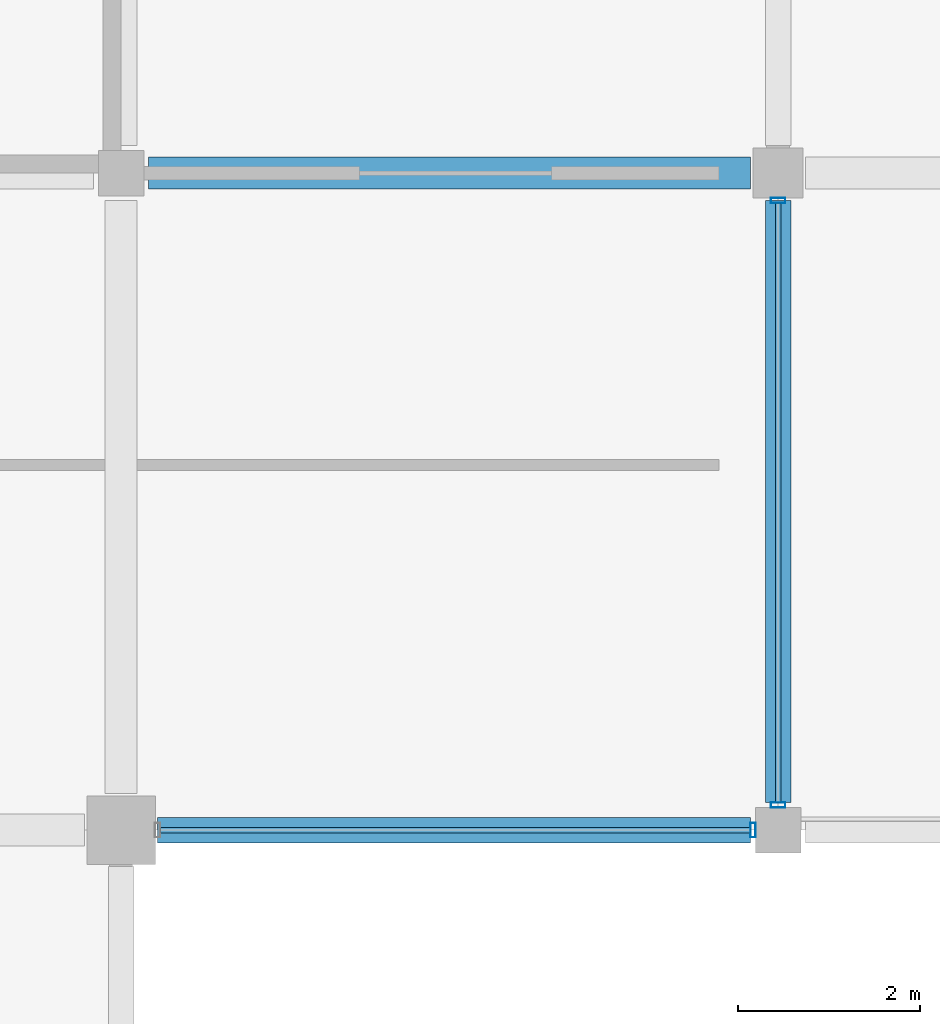
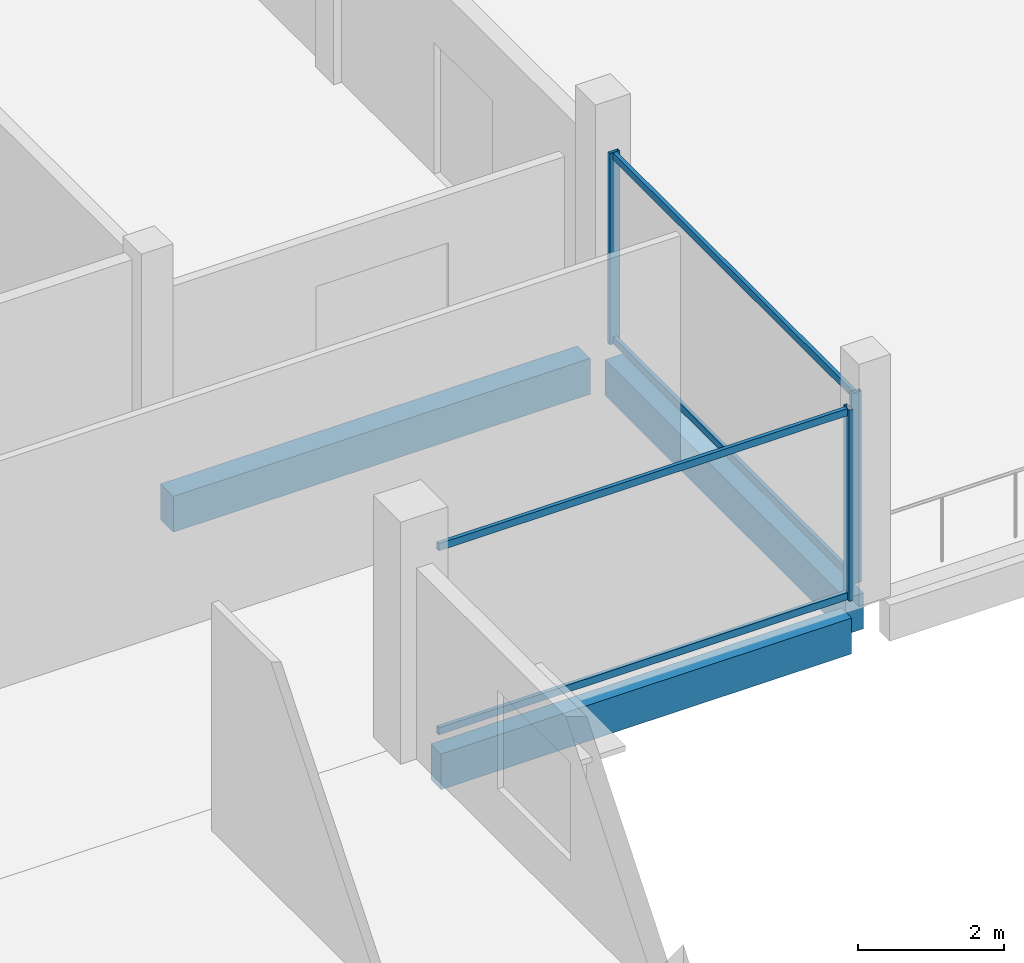
# One storey, part 20 of 91: 7 members, 3 beams, 2 elements without a shape of their own.
"""IFC4 building model written with IfcOpenShell, lengths in metres."""

from ifc_helpers import new_model, si_unit, direction, frame, origin, origin_2d, place, context, subcontext, project, spatial, rectangle, hollow_rectangle, extrude, material, layer, layer_set, material_profile, profile_set, type_object, element, aggregate, save


model = new_model("IFC4")

# Units and contexts
model_context = context("Model", 3, precision=1e-05, world=origin(), true_north=direction((0.0, 1.0)))
body_context = subcontext(model_context, "Body", "Model", "MODEL_VIEW")
ifc_project = project(units=[si_unit("LENGTHUNIT", "METRE"), si_unit("AREAUNIT", "SQUARE_METRE"), si_unit("VOLUMEUNIT", "CUBIC_METRE"), si_unit("PLANEANGLEUNIT", "RADIAN"), si_unit("MASSUNIT", "GRAM", prefix="KILO")], contexts=[model_context])

# Site, building, storey
site_placement = place(None, origin())
site = spatial("IfcSite", under=ifc_project, at=site_placement, CompositionType="ELEMENT")
building_placement = place(site_placement, origin())
building = spatial("IfcBuilding", under=site, at=building_placement, Name="Kangsadwip Square Police Headquarters", CompositionType="ELEMENT")
storey_placement = place(building_placement, frame((0.0, 0.0, 13.5)))
storey = spatial("IfcBuildingStorey", under=building, at=storey_placement, Name="L03", CompositionType="ELEMENT", Elevation=13.5)

# Curtain wall, member
ifc_material_1 = material(Name="Thermally broken anodised aluminium AW-6063-T6", Category="aluminium")
ifc_layer_1 = layer(ifc_material_1, 0.159912109375)
ifc_layer_set_1 = layer_set([ifc_layer_1], Name="Thermally broken anodised aluminium AW-6063-T6")
curtain_wall_type_1 = type_object("IfcCurtainWallType", Name="CourtScreen6585x3200", PredefinedType="USERDEFINED", material=ifc_layer_set_1)
curtain_wall_1_placement = place(storey_placement, origin())
curtain_wall_1 = element("IfcCurtainWall", 1, at=curtain_wall_1_placement, inside=storey, type_object=curtain_wall_type_1, Name="Curtain Wall CW-L03-0220-0936", ObjectType="GLAZED_SCREEN", PredefinedType="USERDEFINED")
ifc_material_2 = material(Name="Thermally broken anodised aluminium AW-6063-T6", Category="aluminium")
ifc_material_profile_1 = material_profile(ifc_material_2, hollow_rectangle(XDim=0.06005859375, YDim=0.159912109375, WallThickness=0.00390625, at=origin_2d()), Name="CWM 160X60X4")
ifc_profile_set_1 = profile_set([ifc_material_profile_1], Name="Thermally broken anodised aluminium AW-6063-T6")
member_type_1 = type_object("IfcMemberType", Name="CwMullion135x60", PredefinedType="MULLION", material=ifc_profile_set_1)
member_1_placement = place(storey_placement, frame((28.52490234375, 93.60009765625, 0.0), z_axis=(0.0, 0.0, 1.0), x_axis=(1.0, 0.0, 0.0)))
member_1 = element("IfcMember", 2, at=member_1_placement, type_object=member_type_1, Name="CW-37 mullion 2", PredefinedType="MULLION", context=body_context, shape_type="SweptSolid", body=[
    extrude(hollow_rectangle(XDim=0.06005859375, YDim=0.159912109375, WallThickness=0.00390625, at=origin_2d()), origin(), (0.0, 0.0, 1.0), 3.199951171875),
])

# Curtain wall, members
ifc_material_3 = material(Name="Thermally broken anodised aluminium AW-6063-T6", Category="aluminium")
ifc_layer_2 = layer(ifc_material_3, 0.159912109375)
ifc_layer_set_2 = layer_set([ifc_layer_2], Name="Thermally broken anodised aluminium AW-6063-T6")
curtain_wall_type_2 = type_object("IfcCurtainWallType", Name="CourtScreen6685x3200", PredefinedType="USERDEFINED", material=ifc_layer_set_2)
curtain_wall_2_placement = place(storey_placement, origin())
curtain_wall_2 = element("IfcCurtainWall", 3, at=curtain_wall_2_placement, inside=storey, type_object=curtain_wall_type_2, Name="Curtain Wall CW-L03-0288-0938", ObjectType="GLAZED_SCREEN", PredefinedType="USERDEFINED")
member_2_placement = place(storey_placement, frame((28.800048828125, 93.875, 0.0), z_axis=(0.0, 0.0, 1.0), x_axis=(0.0, 1.0, 0.0)))
member_2 = element("IfcMember", 4, at=member_2_placement, type_object=member_type_1, Name="CW-35 mullion 1", PredefinedType="MULLION", context=body_context, shape_type="SweptSolid", body=[
    extrude(hollow_rectangle(XDim=0.06005859375, YDim=0.159912109375, WallThickness=0.00390625, at=origin_2d()), origin(), (0.0, 0.0, 1.0), 3.199951171875),
])
member_3_placement = place(storey_placement, frame((28.800048828125, 100.5, 0.0), z_axis=(0.0, 0.0, 1.0), x_axis=(0.0, 1.0, 0.0)))
member_3 = element("IfcMember", 5, at=member_3_placement, type_object=member_type_1, Name="CW-35 mullion 2", PredefinedType="MULLION", context=body_context, shape_type="SweptSolid", body=[
    extrude(hollow_rectangle(XDim=0.06005859375, YDim=0.159912109375, WallThickness=0.00390625, at=origin_2d()), origin(), (0.0, 0.0, 1.0), 3.199951171875),
])

# Member
ifc_material_4 = material(Name="Thermally broken anodised aluminium AW-6063-T6", Category="aluminium")
ifc_material_profile_2 = material_profile(ifc_material_4, hollow_rectangle(XDim=0.06005859375, YDim=0.1201171875, WallThickness=0.00390625, at=origin_2d()), Name="CWT 120X60X4")
ifc_profile_set_2 = profile_set([ifc_material_profile_2], Name="Thermally broken anodised aluminium AW-6063-T6")
member_type_2 = type_object("IfcMemberType", Name="CwTransom120x55", PredefinedType="USERDEFINED", material=ifc_profile_set_2)
member_4_placement = place(storey_placement, frame((22.030029296875, 93.60009765625, 0.06005859375), z_axis=(1.0, 0.0, 0.0), x_axis=(0.0, 1.0, 0.0)))
member_4 = element("IfcMember", 6, at=member_4_placement, type_object=member_type_2, Name="CW-37 transom 1.1", ObjectType="TRANSOM", PredefinedType="USERDEFINED", context=body_context, shape_type="SweptSolid", body=[
    extrude(hollow_rectangle(XDim=0.06005859375, YDim=0.1201171875, WallThickness=0.00390625, at=origin_2d()), origin(), (0.0, 0.0, 1.0), 6.465087890625),
])

member_5_placement = place(storey_placement, frame((22.030029296875, 93.60009765625, 3.139892578125), z_axis=(1.0, 0.0, 0.0), x_axis=(0.0, 1.0, 0.0)))
member_5 = element("IfcMember", 7, at=member_5_placement, type_object=member_type_2, Name="CW-37 transom 1.2", ObjectType="TRANSOM", PredefinedType="USERDEFINED", context=body_context, shape_type="SweptSolid", body=[
    extrude(hollow_rectangle(XDim=0.06005859375, YDim=0.1201171875, WallThickness=0.00390625, at=origin_2d()), origin(), (0.0, 0.0, 1.0), 6.465087890625),
])

aggregate(curtain_wall_1, [member_1, member_4, member_5])

member_6_placement = place(storey_placement, frame((28.800048828125, 93.905029296875, 0.06005859375), z_axis=(0.0, 1.0, 0.0), x_axis=(-1.0, 0.0, 0.0)))
member_6 = element("IfcMember", 8, at=member_6_placement, type_object=member_type_2, Name="CW-35 transom 1.1", ObjectType="TRANSOM", PredefinedType="USERDEFINED", context=body_context, shape_type="SweptSolid", body=[
    extrude(hollow_rectangle(XDim=0.06005859375, YDim=0.1201171875, WallThickness=0.00390625, at=origin_2d()), origin(), (0.0, 0.0, 1.0), 6.56494140625),
])

member_7_placement = place(storey_placement, frame((28.800048828125, 93.905029296875, 3.139892578125), z_axis=(0.0, 1.0, 0.0), x_axis=(-1.0, 0.0, 0.0)))
member_7 = element("IfcMember", 9, at=member_7_placement, type_object=member_type_2, Name="CW-35 transom 1.2", ObjectType="TRANSOM", PredefinedType="USERDEFINED", context=body_context, shape_type="SweptSolid", body=[
    extrude(hollow_rectangle(XDim=0.06005859375, YDim=0.1201171875, WallThickness=0.00390625, at=origin_2d()), origin(), (0.0, 0.0, 1.0), 6.56494140625),
])

aggregate(curtain_wall_2, [member_2, member_3, member_6, member_7])

# Beams
ifc_material_5 = material(Name="Concrete M35 (35 MPa)", Category="concrete")
ifc_material_profile_3 = material_profile(ifc_material_5, rectangle(XDim=0.35009765625, YDim=0.60009765625, at=origin_2d()), Name="RC BM 600X350")
ifc_profile_set_3 = profile_set([ifc_material_profile_3], Name="Concrete M35 (35 MPa)")
beam_type_1 = type_object("IfcBeamType", Name="RcBeam600x350", PredefinedType="BEAM", material=ifc_profile_set_3)
beam_1_placement = place(storey_placement, frame((21.89990234375, 100.800048828125, -0.5400390625), z_axis=(1.0, 0.0, 0.0), x_axis=(0.0, 1.0, 0.0)))
element("IfcBeam", 10, at=beam_1_placement, inside=storey, type_object=beam_type_1, Name="Beam BM-L03-X-03-14", PredefinedType="BEAM", context=body_context, shape_type="SweptSolid", body=[
    extrude(rectangle(XDim=0.35009765625, YDim=0.60009765625, at=origin_2d()), origin(), (0.0, 0.0, 1.0), 6.60009765625),
])
ifc_material_6 = material(Name="Concrete M40 (40 MPa)", Category="concrete")
ifc_material_profile_4 = material_profile(ifc_material_6, rectangle(XDim=0.280029296875, YDim=0.60009765625, at=origin_2d()), Name="RC SPN 600X280")
ifc_profile_set_4 = profile_set([ifc_material_profile_4], Name="Concrete M40 (40 MPa)")
beam_type_2 = type_object("IfcBeamType", Name="RcSpandrel600x280", PredefinedType="SPANDREL", material=ifc_profile_set_4)
beam_2_placement = place(storey_placement, frame((28.800048828125, 93.89990234375, -0.5400390625), z_axis=(0.0, 1.0, 0.0), x_axis=(-1.0, 0.0, 0.0)))
element("IfcBeam", 11, at=beam_2_placement, inside=storey, type_object=beam_type_2, Name="Beam BM-L03-Y-04-13", PredefinedType="SPANDREL", context=body_context, shape_type="SweptSolid", body=[
    extrude(rectangle(XDim=0.280029296875, YDim=0.60009765625, at=origin_2d()), origin(), (0.0, 0.0, 1.0), 6.60009765625),
])
beam_3_placement = place(storey_placement, frame((22.0, 93.60009765625, -0.5400390625), z_axis=(1.0, 0.0, 0.0), x_axis=(0.0, 1.0, 0.0)))
element("IfcBeam", 12, at=beam_3_placement, inside=storey, type_object=beam_type_2, Name="Beam BM-L03-X-03-13", PredefinedType="SPANDREL", context=body_context, shape_type="SweptSolid", body=[
    extrude(rectangle(XDim=0.280029296875, YDim=0.60009765625, at=origin_2d()), origin(), (0.0, 0.0, 1.0), 6.5),
])

save(model, "model.ifc")
